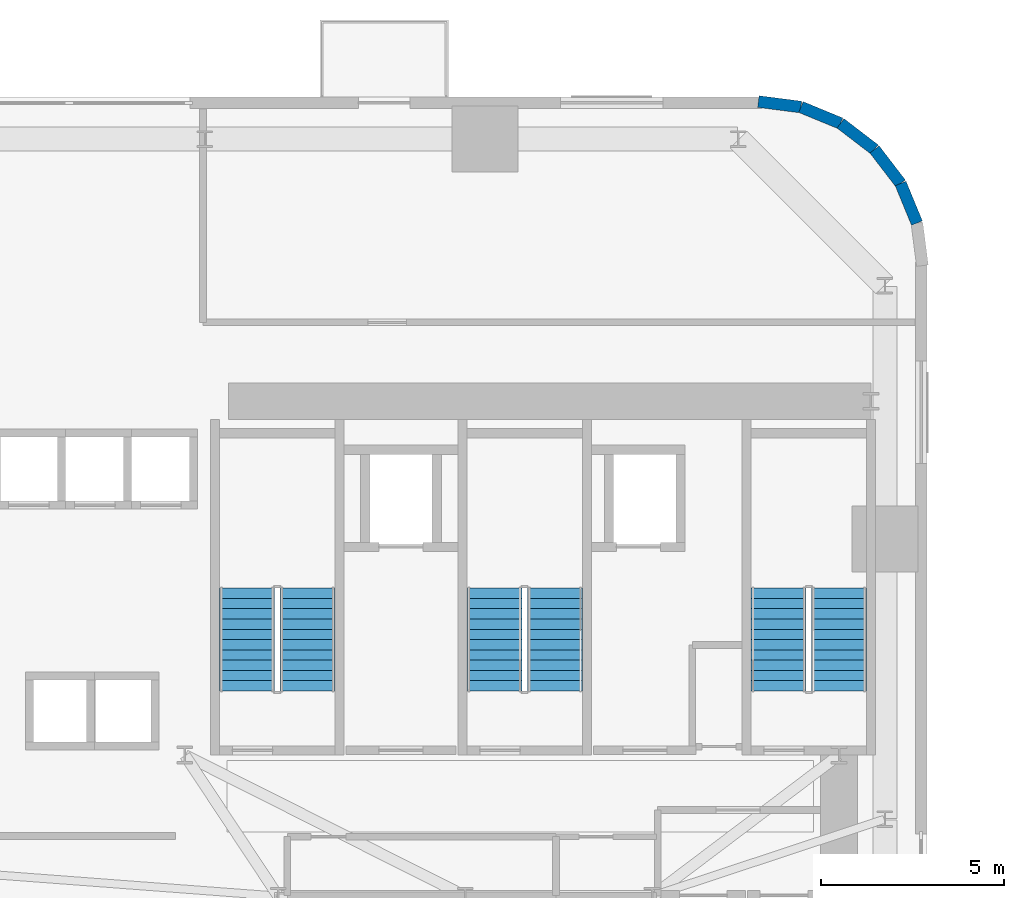
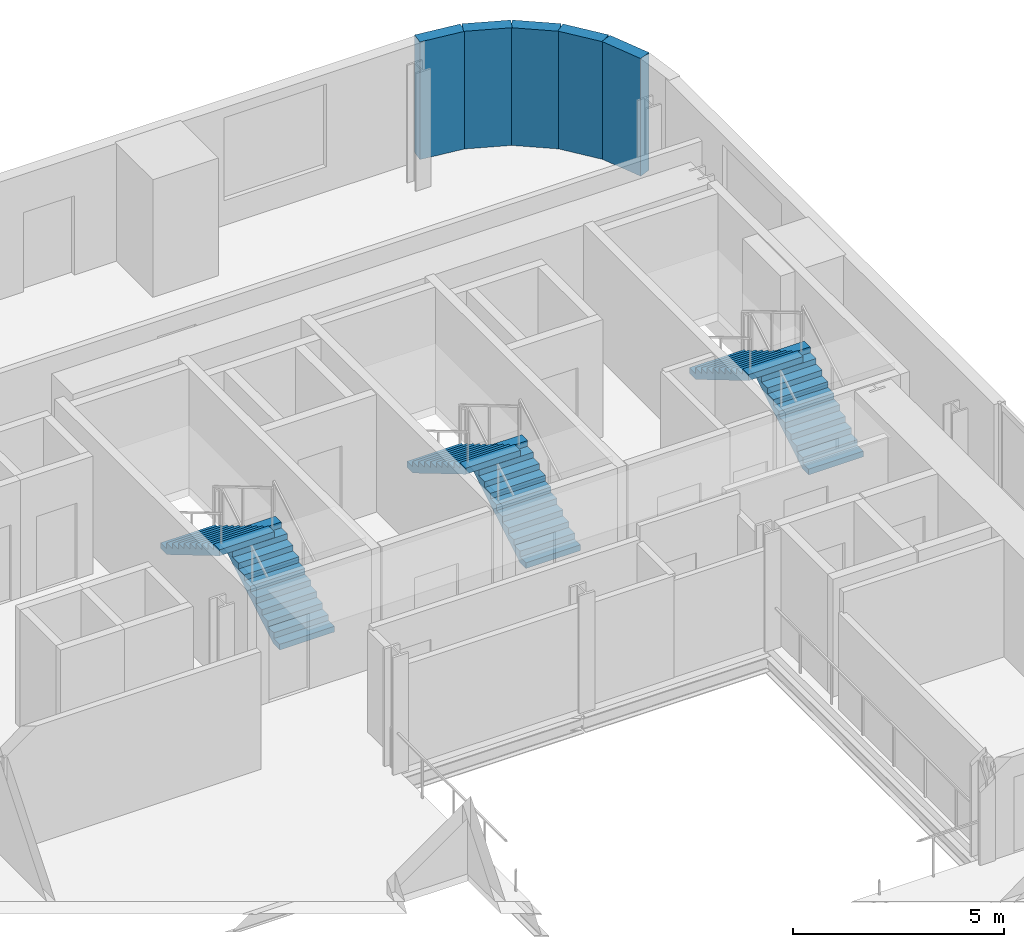
# One storey, part 9 of 13: 6 stair flights, 5 walls, 3 elements without a shape of their own.
"""IFC4 building model written with IfcOpenShell, lengths in metres."""

from ifc_helpers import new_model, si_unit, direction, frame, frame_2d, origin, place, context, subcontext, project, spatial, polyline, rectangle, outline, extrude, source, transform, mapped, material, layer, layer_set, type_object, element, aggregate, save


model = new_model("IFC4")

# Units and contexts
model_context = context("Model", 3, precision=1e-05, world=origin(), true_north=direction((0.0, 1.0)))
body_context = subcontext(model_context, "Body", "Model", "MODEL_VIEW")
ifc_project = project(units=[si_unit("LENGTHUNIT", "METRE"), si_unit("AREAUNIT", "SQUARE_METRE"), si_unit("VOLUMEUNIT", "CUBIC_METRE"), si_unit("PLANEANGLEUNIT", "RADIAN"), si_unit("MASSUNIT", "GRAM", prefix="KILO")], contexts=[model_context])

# Site, building, storey
site_placement = place(None, origin())
site = spatial("IfcSite", under=ifc_project, at=site_placement, CompositionType="ELEMENT")
building_placement = place(site_placement, origin())
building = spatial("IfcBuilding", under=site, at=building_placement, Name="Vardaveli Station Tower", CompositionType="ELEMENT")
storey_placement = place(building_placement, frame((0.0, 0.0, 49.5)))
storey = spatial("IfcBuildingStorey", under=building, at=storey_placement, Name="L12", CompositionType="ELEMENT", Elevation=49.5)

# Walls
ifc_material_1 = material(Name="Precast concrete C45/55", Category="concrete")
ifc_layer = layer(ifc_material_1, 0.320068359375, Name="Precast concrete C45/55")
ifc_layer_set = layer_set([ifc_layer], Name="Precast concrete C45/55")
wall_type = type_object("IfcWallType", Name="WAL-EXT-STONE-320", PredefinedType="SOLIDWALL", material=ifc_layer_set)
shared_shape_1 = source(origin(), body_context, "Body", "SweptSolid", [
    extrude(rectangle(XDim=1.1689453125, YDim=0.320068359375, at=frame_2d((0.58447265625, 0.0))), origin(), (0.0, 0.0, 1.0), 3.409912109375),
])
wall_1_placement = place(storey_placement, frame((48.179931640625, 46.2412109375, 0.0), z_axis=(0.0, 0.0, 1.0), x_axis=(-0.608387696831, 0.793639975269, 0.0)))
element("IfcWall", 1, at=wall_1_placement, inside=storey, type_object=wall_type, Name="EW-L12-CR3-3", PredefinedType="SOLIDWALL", context=body_context, shape_type="MappedRepresentation", body=[
    mapped(shared_shape_1, transform((0.0, 0.0, 0.0), scale=1.0)),
])
shared_shape_2 = source(origin(), body_context, "Body", "SweptSolid", [
    extrude(rectangle(XDim=1.168701171875, YDim=0.320068359375, at=frame_2d((0.58447265625, 0.0))), origin(), (0.0, 0.0, 1.0), 3.409912109375),
])
wall_2_placement = place(storey_placement, frame((47.46875, 47.1689453125, 0.0), z_axis=(0.0, 0.0, 1.0), x_axis=(-0.793663520347, 0.608356981114, 0.0)))
element("IfcWall", 2, at=wall_2_placement, inside=storey, type_object=wall_type, Name="EW-L12-CR3-4", PredefinedType="SOLIDWALL", context=body_context, shape_type="MappedRepresentation", body=[
    mapped(shared_shape_2, transform((0.0, 0.0, 0.0), scale=1.0)),
])
shared_shape_3 = source(origin(), body_context, "Body", "SweptSolid", [
    extrude(rectangle(XDim=1.17041015625, YDim=0.320068359375, at=frame_2d((0.585205078125, 0.0))), origin(), (0.0, 0.0, 1.0), 3.409912109375),
])
wall_3_placement = place(storey_placement, frame((45.460205078125, 48.325439453125, 0.0), z_axis=(0.0, 0.0, 1.0), x_axis=(-0.991735963317, 0.128295670475, 0.0)))
element("IfcWall", 3, at=wall_3_placement, inside=storey, type_object=wall_type, Name="EW-L12-CR3-6", PredefinedType="SOLIDWALL", context=body_context, shape_type="MappedRepresentation", body=[
    mapped(shared_shape_3, transform((0.0, 0.0, 0.0), scale=1.0)),
])
shared_shape_4 = source(origin(), body_context, "Body", "SweptSolid", [
    extrude(rectangle(XDim=1.169189453125, YDim=0.320068359375, at=frame_2d((0.58447265625, 0.0))), origin(), (0.0, 0.0, 1.0), 3.409912109375),
])
for number, where, z_axis, x_axis, name in (
    (4, (48.62548828125, 45.16015625, 0.0), (0.0, 0.0, 1.0), (-0.381054331552, 0.924552646638, 0.0), "EW-L12-CR3-2"),
    (5, (46.541259765625, 47.8798828125, 0.0), (0.0, 0.0, 1.0), (-0.924552646638, 0.381054331552, 0.0), "EW-L12-CR3-5"),
):
    element("IfcWall", number, at=place(storey_placement, frame(where, z_axis=z_axis, x_axis=x_axis)), inside=storey, type_object=wall_type, Name=name, PredefinedType="SOLIDWALL", context=body_context, shape_type="MappedRepresentation", body=[
        mapped(shared_shape_4, transform((0.0, 0.0, 0.0), scale=1.0)),
    ])

# Stair, stair flights
ifc_material_2 = material(Name="Concrete C40/50", Category="concrete")
stair_type = type_object("IfcStairType", Name="STR-CORE-1500", PredefinedType="HALF_TURN_STAIR", material=ifc_material_2)
stair_1_placement = place(storey_placement, origin())
stair_1 = element("IfcStair", 6, at=stair_1_placement, inside=storey, type_object=stair_type, Name="L12 ST-1", PredefinedType="HALF_TURN_STAIR")
stair_flight_type = type_object("IfcStairFlightType", Name="SFL-CORE-1500", PredefinedType="STRAIGHT", material=ifc_material_2)
shared_shape_5 = source(origin(), body_context, "Body", "SweptSolid", [
    extrude(outline(polyline([(0.0, 0.0), (0.0, 0.166015625), (0.280029296875, 0.166015625), (0.280029296875, 0.331787109375), (0.56005859375, 0.331787109375), (0.56005859375, 0.497802734375), (0.840087890625, 0.497802734375), (0.840087890625, 0.66357421875), (1.1201171875, 0.66357421875), (1.1201171875, 0.82958984375), (1.39990234375, 0.82958984375), (1.39990234375, 0.995361328125), (1.679931640625, 0.995361328125), (1.679931640625, 1.161376953125), (1.9599609375, 1.161376953125), (1.9599609375, 1.327392578125), (2.239990234375, 1.327392578125), (2.239990234375, 1.4931640625), (2.52001953125, 1.4931640625), (2.52001953125, 1.6591796875), (2.800048828125, 1.6591796875), (2.800048828125, 1.824951171875), (2.800048828125, 1.48486328125), (0.2939453125, 0.0), (0.0, 0.0)])), frame((0.0, 0.75, 0.0), z_axis=(0.0, -1.0, 0.0), x_axis=(1.0, 0.0, 0.0)), (0.0, 0.0, 1.0), 1.5),
])
stair_flight_1_placement = place(storey_placement, frame((32.0, 32.39990234375, 0.0), z_axis=(0.0, 0.0, 1.0), x_axis=(0.0, 1.0, 0.0)))
stair_flight_1 = element("IfcStairFlight", 7, at=stair_flight_1_placement, type_object=stair_flight_type, Name="ST-1 flight 1", NumberOfRisers=11, NumberOfTreads=10, PredefinedType="STRAIGHT", RiserHeight=0.165909091, TreadLength=0.28, context=body_context, shape_type="MappedRepresentation", body=[
    mapped(shared_shape_5, transform((0.0, 0.0, 0.0), scale=1.0)),
])
stair_flight_2_placement = place(storey_placement, frame((30.35009765625, 35.199951171875, 1.824951171875), z_axis=(0.0, 0.0, 1.0), x_axis=(0.0, -1.0, 0.0)))
stair_flight_2 = element("IfcStairFlight", 8, at=stair_flight_2_placement, type_object=stair_flight_type, Name="ST-1 flight 2", NumberOfRisers=11, NumberOfTreads=10, PredefinedType="STRAIGHT", RiserHeight=0.165909091, TreadLength=0.28, context=body_context, shape_type="MappedRepresentation", body=[
    mapped(shared_shape_5, transform((0.0, 0.0, 0.0), scale=1.0)),
])
aggregate(stair_1, [stair_flight_1, stair_flight_2])

stair_2_placement = place(storey_placement, origin())
stair_2 = element("IfcStair", 9, at=stair_2_placement, inside=storey, type_object=stair_type, Name="L12 ST-2", PredefinedType="HALF_TURN_STAIR")
stair_flight_3_placement = place(storey_placement, frame((38.75, 32.39990234375, 0.0), z_axis=(0.0, 0.0, 1.0), x_axis=(0.0, 1.0, 0.0)))
stair_flight_3 = element("IfcStairFlight", 10, at=stair_flight_3_placement, type_object=stair_flight_type, Name="ST-2 flight 1", NumberOfRisers=11, NumberOfTreads=10, PredefinedType="STRAIGHT", RiserHeight=0.165909091, TreadLength=0.28, context=body_context, shape_type="MappedRepresentation", body=[
    mapped(shared_shape_5, transform((0.0, 0.0, 0.0), scale=1.0)),
])
stair_flight_4_placement = place(storey_placement, frame((37.10009765625, 35.199951171875, 1.824951171875), z_axis=(0.0, 0.0, 1.0), x_axis=(0.0, -1.0, 0.0)))
stair_flight_4 = element("IfcStairFlight", 11, at=stair_flight_4_placement, type_object=stair_flight_type, Name="ST-2 flight 2", NumberOfRisers=11, NumberOfTreads=10, PredefinedType="STRAIGHT", RiserHeight=0.165909091, TreadLength=0.28, context=body_context, shape_type="MappedRepresentation", body=[
    mapped(shared_shape_5, transform((0.0, 0.0, 0.0), scale=1.0)),
])
aggregate(stair_2, [stair_flight_3, stair_flight_4])

stair_3_placement = place(storey_placement, origin())
stair_3 = element("IfcStair", 12, at=stair_3_placement, inside=storey, type_object=stair_type, Name="L12 ST-3", PredefinedType="HALF_TURN_STAIR")
stair_flight_5_placement = place(storey_placement, frame((46.5, 32.39990234375, 0.0), z_axis=(0.0, 0.0, 1.0), x_axis=(0.0, 1.0, 0.0)))
stair_flight_5 = element("IfcStairFlight", 13, at=stair_flight_5_placement, type_object=stair_flight_type, Name="ST-3 flight 1", NumberOfRisers=11, NumberOfTreads=10, PredefinedType="STRAIGHT", RiserHeight=0.165909091, TreadLength=0.28, context=body_context, shape_type="MappedRepresentation", body=[
    mapped(shared_shape_5, transform((0.0, 0.0, 0.0), scale=1.0)),
])
stair_flight_6_placement = place(storey_placement, frame((44.85009765625, 35.199951171875, 1.824951171875), z_axis=(0.0, 0.0, 1.0), x_axis=(0.0, -1.0, 0.0)))
stair_flight_6 = element("IfcStairFlight", 14, at=stair_flight_6_placement, type_object=stair_flight_type, Name="ST-3 flight 2", NumberOfRisers=11, NumberOfTreads=10, PredefinedType="STRAIGHT", RiserHeight=0.165909091, TreadLength=0.28, context=body_context, shape_type="MappedRepresentation", body=[
    mapped(shared_shape_5, transform((0.0, 0.0, 0.0), scale=1.0)),
])
aggregate(stair_3, [stair_flight_5, stair_flight_6])

save(model, "model.ifc")
